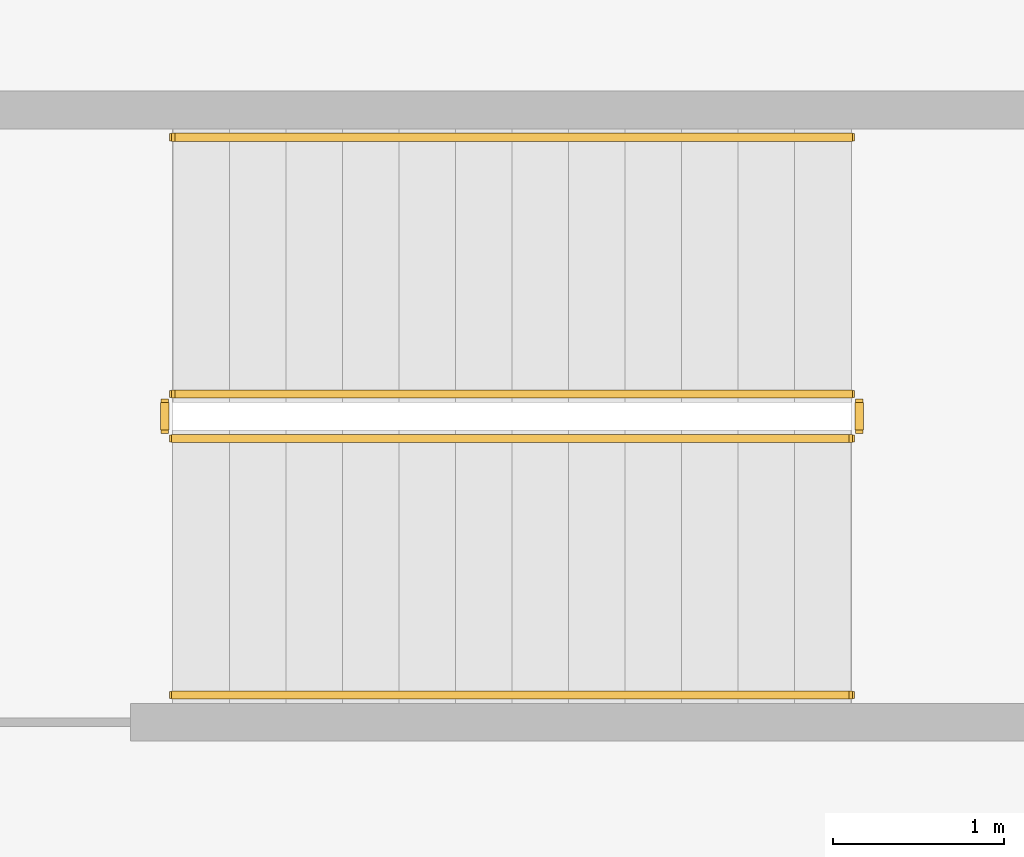
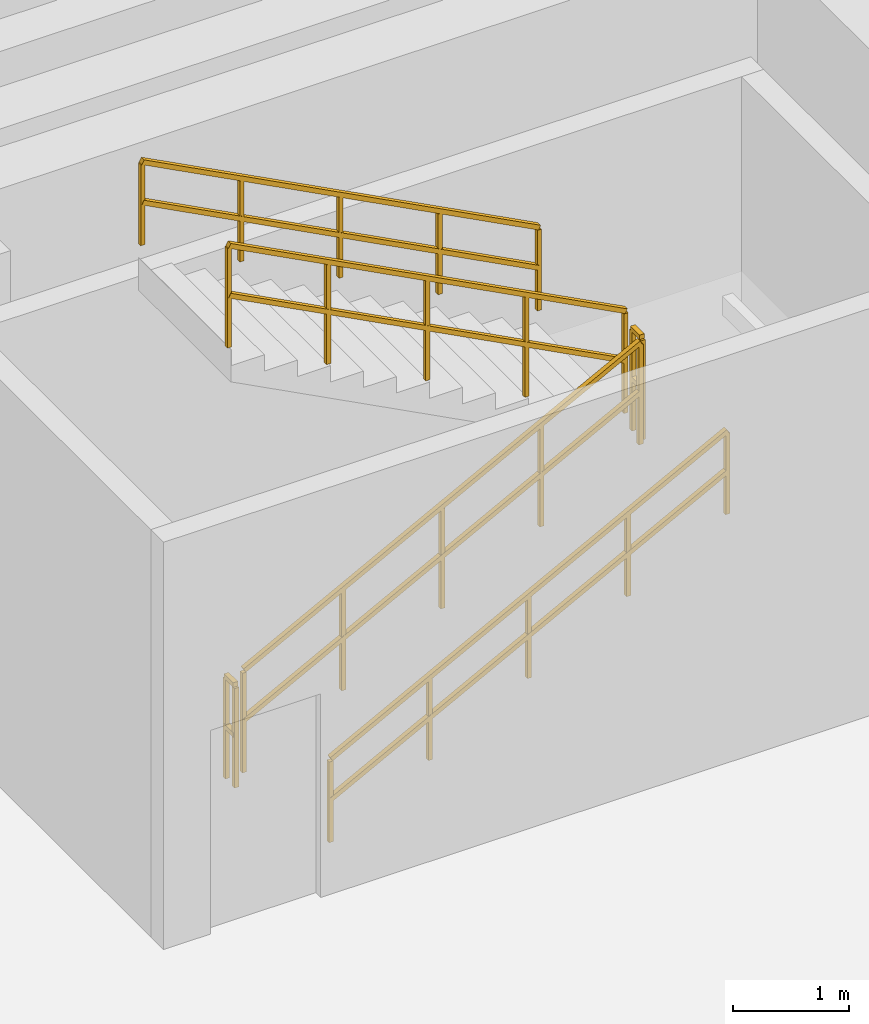
# One storey, part 9 of 9: 6 railings.
"""IFC4 building model written with IfcOpenShell, lengths in metres."""

from ifc_helpers import new_model, si_unit, direction, frame, origin, origin_2d, place, context, subcontext, project, spatial, rectangle, extrude, material, type_object, element, save


model = new_model("IFC4")

# Units and contexts
model_context = context("Model", 3, precision=1e-05, world=origin(), true_north=direction((0.0, 1.0)))
body_context = subcontext(model_context, "Body", "Model", "MODEL_VIEW")
ifc_project = project(units=[si_unit("LENGTHUNIT", "METRE"), si_unit("AREAUNIT", "SQUARE_METRE"), si_unit("VOLUMEUNIT", "CUBIC_METRE"), si_unit("PLANEANGLEUNIT", "RADIAN"), si_unit("MASSUNIT", "GRAM", prefix="KILO")], contexts=[model_context])

# Site, building, storey
site_placement = place(None, origin())
site = spatial("IfcSite", under=ifc_project, at=site_placement, CompositionType="ELEMENT")
building_placement = place(site_placement, origin())
building = spatial("IfcBuilding", under=site, at=building_placement, Name="Ocotamira Hotel", CompositionType="ELEMENT")
storey_placement = place(building_placement, frame((0.0, 0.0, -4.5)))
storey = spatial("IfcBuildingStorey", under=building, at=storey_placement, Name="B01", CompositionType="ELEMENT", Elevation=-4.5)

# Railings
ifc_material_1 = material(Name="Brushed stainless steel handrail", Category="steel")
railing_type_1 = type_object("IfcRailingType", Name="RL-HAND-900", PredefinedType="HANDRAIL", material=ifc_material_1)
railing_1_placement = place(storey_placement, frame((56.179931640625, 46.25, 0.34619140625)))
element("IfcRailing", 1, at=railing_1_placement, inside=storey, type_object=railing_type_1, Name="B01 ST-6 stair handrail 1", PredefinedType="HANDRAIL", context=body_context, shape_type="SweptSolid", body=[
    extrude(rectangle(XDim=0.048095703125, YDim=0.048095703125, at=origin_2d()), frame((0.0, 0.0, 0.8759765625), z_axis=(0.885588829464, 0.0, 0.464470047611), x_axis=(0.0, 1.0, 0.0)), (0.0, 0.0, 1.0), 4.471435546875),
    extrude(rectangle(XDim=0.048095703125, YDim=0.048095703125, at=origin_2d()), frame((0.0, 0.0, 0.449951171875), z_axis=(0.885588829464, 0.0, 0.464470047611), x_axis=(0.0, 1.0, 0.0)), (0.0, 0.0, 1.0), 4.471435546875),
    extrude(rectangle(XDim=0.0419921875, YDim=0.0419921875, at=origin_2d()), origin(), (0.0, 0.0, 1.0), 0.851806640625),
    extrude(rectangle(XDim=0.0419921875, YDim=0.0419921875, at=origin_2d()), frame((0.989990234375, 0.0, 0.519287109375)), (0.0, 0.0, 1.0), 0.851806640625),
    extrude(rectangle(XDim=0.0419921875, YDim=0.0419921875, at=origin_2d()), frame((1.97998046875, 0.0, 1.03857421875)), (0.0, 0.0, 1.0), 0.851806640625),
    extrude(rectangle(XDim=0.0419921875, YDim=0.0419921875, at=origin_2d()), frame((2.969970703125, 0.0, 1.5576171875)), (0.0, 0.0, 1.0), 0.851806640625),
    extrude(rectangle(XDim=0.0419921875, YDim=0.0419921875, at=origin_2d()), frame((3.9599609375, 0.0, 2.076904296875)), (0.0, 0.0, 1.0), 0.851806640625),
])
railing_2_placement = place(storey_placement, frame((60.139892578125, 49.510009765625, 2.59619140625)))
element("IfcRailing", 2, at=railing_2_placement, inside=storey, type_object=railing_type_1, Name="B01 ST-6 stair handrail 2", PredefinedType="HANDRAIL", context=body_context, shape_type="SweptSolid", body=[
    extrude(rectangle(XDim=0.048095703125, YDim=0.048095703125, at=origin_2d()), frame((0.0, 0.0, 0.8759765625), z_axis=(-0.885588829464, 0.0, 0.464470047611), x_axis=(0.0, -1.0, 0.0)), (0.0, 0.0, 1.0), 4.471435546875),
    extrude(rectangle(XDim=0.048095703125, YDim=0.048095703125, at=origin_2d()), frame((0.0, 0.0, 0.449951171875), z_axis=(-0.885588829464, 0.0, 0.464470047611), x_axis=(0.0, -1.0, 0.0)), (0.0, 0.0, 1.0), 4.471435546875),
    extrude(rectangle(XDim=0.0419921875, YDim=0.0419921875, at=origin_2d()), origin(), (0.0, 0.0, 1.0), 0.851806640625),
    extrude(rectangle(XDim=0.0419921875, YDim=0.0419921875, at=origin_2d()), frame((-0.989990234375, 0.0, 0.519287109375)), (0.0, 0.0, 1.0), 0.851806640625),
    extrude(rectangle(XDim=0.0419921875, YDim=0.0419921875, at=origin_2d()), frame((-1.97998046875, 0.0, 1.03857421875)), (0.0, 0.0, 1.0), 0.851806640625),
    extrude(rectangle(XDim=0.0419921875, YDim=0.0419921875, at=origin_2d()), frame((-2.969970703125, 0.0, 1.5576171875)), (0.0, 0.0, 1.0), 0.851806640625),
    extrude(rectangle(XDim=0.0419921875, YDim=0.0419921875, at=origin_2d()), frame((-3.9599609375, 0.0, 2.076904296875)), (0.0, 0.0, 1.0), 0.851806640625),
])
ifc_material_2 = material(Name="Painted steel stair guardrail", Category="steel")
railing_type_2 = type_object("IfcRailingType", Name="RL-STAIR-1100", PredefinedType="GUARDRAIL", material=ifc_material_2)
railing_3_placement = place(storey_placement, frame((56.179931640625, 47.75, 0.173095703125)))
element("IfcRailing", 3, at=railing_3_placement, inside=storey, type_object=railing_type_2, Name="B01 ST-6 stair guard 1", PredefinedType="GUARDRAIL", context=body_context, shape_type="SweptSolid", body=[
    extrude(rectangle(XDim=0.048095703125, YDim=0.048095703125, at=origin_2d()), frame((0.0, 0.0, 1.076171875), z_axis=(0.885588829464, 0.0, 0.464470047611), x_axis=(0.0, 1.0, 0.0)), (0.0, 0.0, 1.0), 4.471435546875),
    extrude(rectangle(XDim=0.048095703125, YDim=0.048095703125, at=origin_2d()), frame((0.0, 0.0, 0.550048828125), z_axis=(0.885588829464, 0.0, 0.464470047611), x_axis=(0.0, 1.0, 0.0)), (0.0, 0.0, 1.0), 4.471435546875),
    extrude(rectangle(XDim=0.0419921875, YDim=0.0419921875, at=origin_2d()), origin(), (0.0, 0.0, 1.0), 1.052001953125),
    extrude(rectangle(XDim=0.0419921875, YDim=0.0419921875, at=origin_2d()), frame((0.989990234375, 0.0, 0.519287109375)), (0.0, 0.0, 1.0), 1.052001953125),
    extrude(rectangle(XDim=0.0419921875, YDim=0.0419921875, at=origin_2d()), frame((1.97998046875, 0.0, 1.03857421875)), (0.0, 0.0, 1.0), 1.052001953125),
    extrude(rectangle(XDim=0.0419921875, YDim=0.0419921875, at=origin_2d()), frame((2.969970703125, 0.0, 1.5576171875)), (0.0, 0.0, 1.0), 1.052001953125),
    extrude(rectangle(XDim=0.0419921875, YDim=0.0419921875, at=origin_2d()), frame((3.9599609375, 0.0, 2.076904296875)), (0.0, 0.0, 1.0), 1.052001953125),
])
railing_4_placement = place(storey_placement, frame((60.18994140625, 47.800048828125, 2.25)))
element("IfcRailing", 4, at=railing_4_placement, inside=storey, type_object=railing_type_2, Name="B01 ST-6 stair guard 2", PredefinedType="GUARDRAIL", context=body_context, shape_type="SweptSolid", body=[
    extrude(rectangle(XDim=0.048095703125, YDim=0.048095703125, at=origin_2d()), frame((0.0, 0.0, 1.076171875), z_axis=(0.0, 1.0, 0.0), x_axis=(-1.0, 0.0, 0.0)), (0.0, 0.0, 1.0), 0.159912109375),
    extrude(rectangle(XDim=0.048095703125, YDim=0.048095703125, at=origin_2d()), frame((0.0, 0.0, 0.550048828125), z_axis=(0.0, 1.0, 0.0), x_axis=(-1.0, 0.0, 0.0)), (0.0, 0.0, 1.0), 0.159912109375),
    extrude(rectangle(XDim=0.0419921875, YDim=0.0419921875, at=origin_2d()), origin(), (0.0, 0.0, 1.0), 1.052001953125),
    extrude(rectangle(XDim=0.0419921875, YDim=0.0419921875, at=origin_2d()), frame((0.0, 0.159912109375, 0.0)), (0.0, 0.0, 1.0), 1.052001953125),
])
railing_5_placement = place(storey_placement, frame((60.139892578125, 48.010009765625, 2.423095703125)))
element("IfcRailing", 5, at=railing_5_placement, inside=storey, type_object=railing_type_2, Name="B01 ST-6 stair guard 3", PredefinedType="GUARDRAIL", context=body_context, shape_type="SweptSolid", body=[
    extrude(rectangle(XDim=0.048095703125, YDim=0.048095703125, at=origin_2d()), frame((0.0, 0.0, 1.076171875), z_axis=(-0.885588829464, 0.0, 0.464470047611), x_axis=(0.0, -1.0, 0.0)), (0.0, 0.0, 1.0), 4.471435546875),
    extrude(rectangle(XDim=0.048095703125, YDim=0.048095703125, at=origin_2d()), frame((0.0, 0.0, 0.550048828125), z_axis=(-0.885588829464, 0.0, 0.464470047611), x_axis=(0.0, -1.0, 0.0)), (0.0, 0.0, 1.0), 4.471435546875),
    extrude(rectangle(XDim=0.0419921875, YDim=0.0419921875, at=origin_2d()), origin(), (0.0, 0.0, 1.0), 1.052001953125),
    extrude(rectangle(XDim=0.0419921875, YDim=0.0419921875, at=origin_2d()), frame((-0.989990234375, 0.0, 0.519287109375)), (0.0, 0.0, 1.0), 1.052001953125),
    extrude(rectangle(XDim=0.0419921875, YDim=0.0419921875, at=origin_2d()), frame((-1.97998046875, 0.0, 1.03857421875)), (0.0, 0.0, 1.0), 1.052001953125),
    extrude(rectangle(XDim=0.0419921875, YDim=0.0419921875, at=origin_2d()), frame((-2.969970703125, 0.0, 1.5576171875)), (0.0, 0.0, 1.0), 1.052001953125),
    extrude(rectangle(XDim=0.0419921875, YDim=0.0419921875, at=origin_2d()), frame((-3.9599609375, 0.0, 2.076904296875)), (0.0, 0.0, 1.0), 1.052001953125),
])
railing_6_placement = place(storey_placement, frame((56.1298828125, 47.800048828125, 0.0)))
element("IfcRailing", 6, at=railing_6_placement, inside=storey, type_object=railing_type_2, Name="B01 ST-6 stair guard 4", PredefinedType="GUARDRAIL", context=body_context, shape_type="SweptSolid", body=[
    extrude(rectangle(XDim=0.048095703125, YDim=0.048095703125, at=origin_2d()), frame((0.0, 0.0, 1.076171875), z_axis=(0.0, 1.0, 0.0), x_axis=(-1.0, 0.0, 0.0)), (0.0, 0.0, 1.0), 0.159912109375),
    extrude(rectangle(XDim=0.048095703125, YDim=0.048095703125, at=origin_2d()), frame((0.0, 0.0, 0.550048828125), z_axis=(0.0, 1.0, 0.0), x_axis=(-1.0, 0.0, 0.0)), (0.0, 0.0, 1.0), 0.159912109375),
    extrude(rectangle(XDim=0.0419921875, YDim=0.0419921875, at=origin_2d()), origin(), (0.0, 0.0, 1.0), 1.052001953125),
    extrude(rectangle(XDim=0.0419921875, YDim=0.0419921875, at=origin_2d()), frame((0.0, 0.159912109375, 0.0)), (0.0, 0.0, 1.0), 1.052001953125),
])

save(model, "model.ifc")
